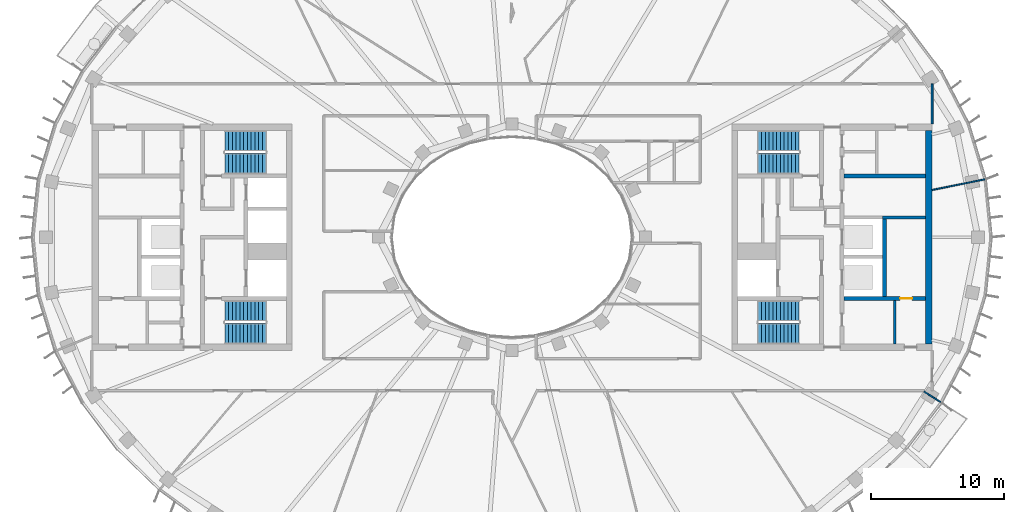
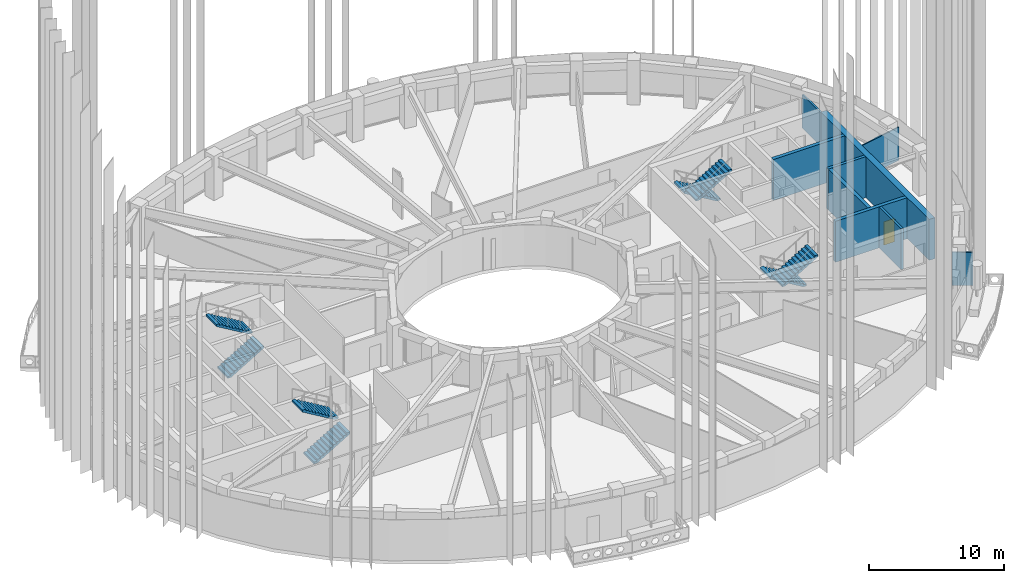
# One storey, part 7 of 17: 9 walls, 8 stair flights, 1 door, 1 opening, 4 elements without a shape of their own.
"""IFC4 building model written with IfcOpenShell, lengths in metres."""

from ifc_helpers import new_model, si_unit, direction, frame, frame_2d, origin, place, context, subcontext, project, spatial, polyline, rectangle, outline, extrude, material, layer, layer_set, type_object, element, fill, aggregate, save


model = new_model("IFC4")

# Units and contexts
model_context = context("Model", 3, precision=1e-05, world=origin(), true_north=direction((0.0, 1.0)))
body_context = subcontext(model_context, "Body", "Model", "MODEL_VIEW")
ifc_project = project(units=[si_unit("LENGTHUNIT", "METRE"), si_unit("AREAUNIT", "SQUARE_METRE"), si_unit("VOLUMEUNIT", "CUBIC_METRE"), si_unit("PLANEANGLEUNIT", "RADIAN"), si_unit("MASSUNIT", "GRAM", prefix="KILO")], contexts=[model_context])

# Site, building, storey
site_placement = place(None, origin())
site = spatial("IfcSite", under=ifc_project, at=site_placement, CompositionType="ELEMENT")
building_placement = place(site_placement, origin())
building = spatial("IfcBuilding", under=site, at=building_placement, Name="Noorbagh Ring Tower", CompositionType="ELEMENT")
storey_placement = place(building_placement, frame((0.0, 0.0, 291.0)))
storey = spatial("IfcBuildingStorey", under=building, at=storey_placement, Name="L62", CompositionType="ELEMENT", Elevation=291.0)

# Walls
ifc_material_1 = material(Name="Gypsum board on steel studs", Category="steel")
ifc_layer_1 = layer(ifc_material_1, 0.199951171875)
ifc_layer_set_1 = layer_set([ifc_layer_1], Name="Gypsum board on steel studs")
wall_type_1 = type_object("IfcWallType", Name="CORE-PARTITION-200", PredefinedType="PARTITIONING", material=ifc_layer_set_1)
wall_1_placement = place(storey_placement, frame((28.699951171875, -8.0, 0.0), z_axis=(0.0, 0.0, 1.0), x_axis=(0.0, 1.0, 0.0)))
element("IfcWall", 1, at=wall_1_placement, inside=storey, type_object=wall_type_1, Name="Core partition E", PredefinedType="PARTITIONING", context=body_context, shape_type="SweptSolid", body=[
    extrude(rectangle(XDim=3.25, YDim=0.199951171875, at=frame_2d((1.625, 0.0))), origin(), (0.0, 0.0, 1.0), 3.699951171875),
])
ifc_material_2 = material(Name="Concrete C50/60", Category="concrete")
ifc_layer_2 = layer(ifc_material_2, 0.25)
ifc_layer_set_2 = layer_set([ifc_layer_2], Name="Concrete C50/60")
wall_type_2 = type_object("IfcWallType", Name="CORE-WALL-250-C50-60-EI120", PredefinedType="SHEAR", material=ifc_layer_set_2)
wall_2_placement = place(storey_placement, frame((27.800048828125, 1.47509765625, 0.0), z_axis=(0.0, 0.0, 1.0), x_axis=(1.0, 0.0, 0.0)))
element("IfcWall", 2, at=wall_2_placement, inside=storey, type_object=wall_type_2, Name="Core wall E", PredefinedType="SHEAR", context=body_context, shape_type="SweptSolid", body=[
    extrude(rectangle(XDim=3.199951171875, YDim=0.25, at=frame_2d((1.60009765625, 0.0))), origin(), (0.0, 0.0, 1.0), 3.699951171875),
])
ifc_material_3 = material(Name="Concrete C50/60", Category="concrete")
ifc_layer_3 = layer(ifc_material_3, 0.300048828125)
ifc_layer_set_3 = layer_set([ifc_layer_3], Name="Concrete C50/60")
wall_type_3 = type_object("IfcWallType", Name="CORE-WALL-300-C50-60-EI120", PredefinedType="SHEAR", material=ifc_layer_set_3)
wall_3_placement = place(storey_placement, frame((27.949951171875, -4.449951171875, 0.0), z_axis=(0.0, 0.0, 1.0), x_axis=(0.0, 1.0, 0.0)))
element("IfcWall", 3, at=wall_3_placement, inside=storey, type_object=wall_type_3, Name="Core wall E", PredefinedType="SHEAR", context=body_context, shape_type="SweptSolid", body=[
    extrude(rectangle(XDim=5.800048828125, YDim=0.300048828125, at=frame_2d((2.89990234375, 0.0))), origin(), (0.0, 0.0, 1.0), 3.699951171875),
])
ifc_material_4 = material(Name="Concrete C50/60", Category="concrete")
ifc_layer_4 = layer(ifc_material_4, 0.300048828125)
ifc_layer_set_4 = layer_set([ifc_layer_4], Name="Concrete C50/60")
wall_type_4 = type_object("IfcWallType", Name="CORE-WALL-300-C50-60-EI240", PredefinedType="SHEAR", material=ifc_layer_set_4)
wall_4_placement = place(storey_placement, frame((24.89990234375, 4.60009765625, 0.0), z_axis=(0.0, 0.0, 1.0), x_axis=(1.0, 0.0, 0.0)))
element("IfcWall", 4, at=wall_4_placement, inside=storey, type_object=wall_type_4, Name="Core wall E", PredefinedType="SHEAR", context=body_context, shape_type="SweptSolid", body=[
    extrude(rectangle(XDim=6.10009765625, YDim=0.300048828125, at=frame_2d((3.050048828125, 0.0))), origin(), (0.0, 0.0, 1.0), 3.699951171875),
])

# Wall, opening, door
wall_5_placement = place(storey_placement, frame((24.89990234375, -4.60009765625, 0.0), z_axis=(0.0, 0.0, 1.0), x_axis=(1.0, 0.0, 0.0)))
wall_5 = element("IfcWall", 5, at=wall_5_placement, inside=storey, type_object=wall_type_4, Name="Core wall E", PredefinedType="SHEAR", context=body_context, shape_type="SweptSolid", body=[
    extrude(rectangle(XDim=6.10009765625, YDim=0.300048828125, at=frame_2d((3.050048828125, 0.0))), origin(), (0.0, 0.0, 1.0), 3.699951171875),
])
opening_placement = place(wall_5_placement, frame((4.199951171875, 0.0, 0.0)))
opening = element("IfcOpeningElement", 6, at=opening_placement, cuts=wall_5, Name="Opening L62-CE19", PredefinedType="OPENING", context=body_context, shape_type="SweptSolid", body=[
    extrude(rectangle(XDim=0.89990234375, YDim=2.10009765625, at=frame_2d((0.449951171875, 1.050048828125))), frame((0.0, 0.16015625, 0.0), z_axis=(0.0, -1.0, 0.0), x_axis=(1.0, 0.0, 0.0)), (0.0, 0.0, 1.0), 0.320068359375),
])
ifc_material_5 = material(Name="Steel door leaf", Category="steel")
door_type = type_object("IfcDoorType", Name="CORE-DOOR-DROOM", OperationType="SINGLE_SWING_LEFT", PredefinedType="DOOR", material=ifc_material_5)
door_placement = place(opening_placement, origin())
door = element("IfcDoor", 7, at=door_placement, inside=storey, type_object=door_type, Name="Core room door L62-CE19", OperationType="SINGLE_SWING_LEFT", OverallHeight=2.10009765625, OverallWidth=0.89990234375, PredefinedType="DOOR", context=body_context, shape_type="SweptSolid", body=[
    extrude(rectangle(XDim=0.89990234375, YDim=2.10009765625, at=frame_2d((0.449951171875, 1.050048828125))), frame((0.0, 0.02490234375, 0.0), z_axis=(0.0, -1.0, 0.0), x_axis=(1.0, 0.0, 0.0)), (0.0, 0.0, 1.0), 0.050048828125),
])
fill(opening, door)

# Walls
ifc_material_6 = material(Name="Concrete C50/60", Category="concrete")
ifc_layer_5 = layer(ifc_material_6, 0.5)
ifc_layer_set_5 = layer_set([ifc_layer_5], Name="Concrete C50/60")
wall_type_5 = type_object("IfcWallType", Name="CORE-WALL-500-C50-60-EI240", PredefinedType="SHEAR", material=ifc_layer_set_5)
wall_6_placement = place(storey_placement, frame((31.25, -8.0, 0.0), z_axis=(0.0, 0.0, 1.0), x_axis=(0.0, 1.0, 0.0)))
element("IfcWall", 8, at=wall_6_placement, inside=storey, type_object=wall_type_5, Name="Core wall E", PredefinedType="SHEAR", context=body_context, shape_type="SweptSolid", body=[
    extrude(rectangle(XDim=16.0, YDim=0.5, at=frame_2d((8.0, 0.0))), origin(), (0.0, 0.0, 1.0), 3.699951171875),
])
ifc_material_7 = material(Name="Gypsum board on steel studs", Category="steel")
ifc_layer_6 = layer(ifc_material_7, 0.14990234375)
ifc_layer_set_6 = layer_set([ifc_layer_6], Name="Gypsum board on steel studs")
wall_type_6 = type_object("IfcWallType", Name="CORRIDOR PARTITION 150 EI 30", PredefinedType="PARTITIONING", material=ifc_layer_set_6)
wall_7_placement = place(storey_placement, frame((31.5, 8.5, 0.0), z_axis=(0.0, 0.0, 1.0), x_axis=(0.0, 1.0, 0.0)))
element("IfcWall", 9, at=wall_7_placement, inside=storey, type_object=wall_type_6, Name="L62/wall/P51", PredefinedType="PARTITIONING", context=body_context, shape_type="SweptSolid", body=[
    extrude(rectangle(XDim=3.0, YDim=0.14990234375, at=frame_2d((1.5, 0.0))), origin(), (0.0, 0.0, 1.0), 3.0),
])
ifc_material_8 = material(Name="Gypsum board on steel studs", Category="steel")
ifc_layer_7 = layer(ifc_material_8, 0.10009765625)
ifc_layer_set_7 = layer_set([ifc_layer_7], Name="Gypsum board on steel studs")
wall_type_7 = type_object("IfcWallType", Name="PARTITION 100 GYPSUM", PredefinedType="PARTITIONING", material=ifc_layer_set_7)
wall_8_placement = place(storey_placement, frame((30.89697265625, -11.574951171875, 0.0), z_axis=(0.0, 0.0, 1.0), x_axis=(0.844757626245, -0.535149094086, 0.0)))
element("IfcWall", 10, at=wall_8_placement, inside=storey, type_object=wall_type_7, Name="L62/wall/P48", PredefinedType="PARTITIONING", context=body_context, shape_type="SweptSolid", body=[
    extrude(rectangle(XDim=1.556640625, YDim=0.10009765625, at=frame_2d((0.7783203125, 0.0))), origin(), (0.0, 0.0, 1.0), 3.0),
])
wall_9_placement = place(storey_placement, frame((31.5, 3.5419921875, 0.0), z_axis=(0.0, 0.0, 1.0), x_axis=(0.980357474535, 0.197228857227, 0.0)))
element("IfcWall", 11, at=wall_9_placement, inside=storey, type_object=wall_type_7, Name="L62/wall/P50", PredefinedType="PARTITIONING", context=body_context, shape_type="SweptSolid", body=[
    extrude(rectangle(XDim=4.09228515625, YDim=0.10009765625, at=frame_2d((2.046142578125, 0.0))), origin(), (0.0, 0.0, 1.0), 3.0),
])

# Stair, stair flights
ifc_material_9 = material(Name="Concrete C40/50", Category="concrete")
stair_type = type_object("IfcStairType", Name="CORE-STAIR", PredefinedType="HALF_TURN_STAIR", material=ifc_material_9)
stair_1_placement = place(storey_placement, origin())
stair_1 = element("IfcStair", 12, at=stair_1_placement, inside=storey, type_object=stair_type, Name="L62 Exit stair ST1", PredefinedType="HALF_TURN_STAIR")
ifc_material_10 = material(Name="Concrete C40/50", Category="concrete")
stair_flight_type = type_object("IfcStairFlightType", Name="CORE-STAIR-FLIGHT", PredefinedType="STRAIGHT", material=ifc_material_10)
stair_flight_1_placement = place(storey_placement, frame((-21.530029296875, 5.52490234375, 0.0), z_axis=(0.0, 0.0, 1.0), x_axis=(1.0, 0.0, 0.0)))
stair_flight_1 = element("IfcStairFlight", 13, at=stair_flight_1_placement, type_object=stair_flight_type, Name="ST1 flight 1", NumberOfRisers=12, NumberOfTreads=11, PredefinedType="STRAIGHT", RiserHeight=0.166666667, TreadLength=0.28, context=body_context, shape_type="SweptSolid", body=[
    extrude(outline(polyline([(0.0, 0.0), (0.0, 0.166748046875), (0.280029296875, 0.166748046875), (0.280029296875, 0.333251953125), (0.56005859375, 0.333251953125), (0.56005859375, 0.5), (0.840087890625, 0.5), (0.840087890625, 0.666748046875), (1.1201171875, 0.666748046875), (1.1201171875, 0.833251953125), (1.39990234375, 0.833251953125), (1.39990234375, 1.0), (1.679931640625, 1.0), (1.679931640625, 1.166748046875), (1.9599609375, 1.166748046875), (1.9599609375, 1.333251953125), (2.239990234375, 1.333251953125), (2.239990234375, 1.5), (2.52001953125, 1.5), (2.52001953125, 1.666748046875), (2.800048828125, 1.666748046875), (2.800048828125, 1.833251953125), (3.080078125, 1.833251953125), (3.080078125, 2.0), (3.080078125, 1.658935546875), (0.29296875, 0.0), (0.0, 0.0)])), frame((0.0, 0.77490234375, 0.0), z_axis=(0.0, -1.0, 0.0), x_axis=(1.0, 0.0, 0.0)), (0.0, 0.0, 1.0), 1.550048828125),
])
stair_flight_2_placement = place(storey_placement, frame((-18.449951171875, 7.22509765625, 2.0), z_axis=(0.0, 0.0, 1.0), x_axis=(-1.0, 0.0, 0.0)))
stair_flight_2 = element("IfcStairFlight", 14, at=stair_flight_2_placement, type_object=stair_flight_type, Name="ST1 flight 2", NumberOfRisers=12, NumberOfTreads=11, PredefinedType="STRAIGHT", RiserHeight=0.166666667, TreadLength=0.28, context=body_context, shape_type="SweptSolid", body=[
    extrude(outline(polyline([(0.0, 0.0), (0.0, 0.166748046875), (0.280029296875, 0.166748046875), (0.280029296875, 0.333251953125), (0.56005859375, 0.333251953125), (0.56005859375, 0.5), (0.840087890625, 0.5), (0.840087890625, 0.666748046875), (1.1201171875, 0.666748046875), (1.1201171875, 0.833251953125), (1.39990234375, 0.833251953125), (1.39990234375, 1.0), (1.679931640625, 1.0), (1.679931640625, 1.166748046875), (1.9599609375, 1.166748046875), (1.9599609375, 1.333251953125), (2.239990234375, 1.333251953125), (2.239990234375, 1.5), (2.52001953125, 1.5), (2.52001953125, 1.666748046875), (2.800048828125, 1.666748046875), (2.800048828125, 1.833251953125), (3.080078125, 1.833251953125), (3.080078125, 2.0), (3.080078125, 1.658935546875), (0.29296875, 0.0), (0.0, 0.0)])), frame((0.0, 0.77490234375, 0.0), z_axis=(0.0, -1.0, 0.0), x_axis=(1.0, 0.0, 0.0)), (0.0, 0.0, 1.0), 1.550048828125),
])
aggregate(stair_1, [stair_flight_1, stair_flight_2])

stair_2_placement = place(storey_placement, origin())
stair_2 = element("IfcStair", 15, at=stair_2_placement, inside=storey, type_object=stair_type, Name="L62 Exit stair ST2", PredefinedType="HALF_TURN_STAIR")
stair_flight_3_placement = place(storey_placement, frame((-21.530029296875, -7.22509765625, 0.0), z_axis=(0.0, 0.0, 1.0), x_axis=(1.0, 0.0, 0.0)))
stair_flight_3 = element("IfcStairFlight", 16, at=stair_flight_3_placement, type_object=stair_flight_type, Name="ST2 flight 1", NumberOfRisers=12, NumberOfTreads=11, PredefinedType="STRAIGHT", RiserHeight=0.166666667, TreadLength=0.28, context=body_context, shape_type="SweptSolid", body=[
    extrude(outline(polyline([(0.0, 0.0), (0.0, 0.166748046875), (0.280029296875, 0.166748046875), (0.280029296875, 0.333251953125), (0.56005859375, 0.333251953125), (0.56005859375, 0.5), (0.840087890625, 0.5), (0.840087890625, 0.666748046875), (1.1201171875, 0.666748046875), (1.1201171875, 0.833251953125), (1.39990234375, 0.833251953125), (1.39990234375, 1.0), (1.679931640625, 1.0), (1.679931640625, 1.166748046875), (1.9599609375, 1.166748046875), (1.9599609375, 1.333251953125), (2.239990234375, 1.333251953125), (2.239990234375, 1.5), (2.52001953125, 1.5), (2.52001953125, 1.666748046875), (2.800048828125, 1.666748046875), (2.800048828125, 1.833251953125), (3.080078125, 1.833251953125), (3.080078125, 2.0), (3.080078125, 1.658935546875), (0.29296875, 0.0), (0.0, 0.0)])), frame((0.0, 0.77490234375, 0.0), z_axis=(0.0, -1.0, 0.0), x_axis=(1.0, 0.0, 0.0)), (0.0, 0.0, 1.0), 1.550048828125),
])
stair_flight_4_placement = place(storey_placement, frame((-18.449951171875, -5.52490234375, 2.0), z_axis=(0.0, 0.0, 1.0), x_axis=(-1.0, 0.0, 0.0)))
stair_flight_4 = element("IfcStairFlight", 17, at=stair_flight_4_placement, type_object=stair_flight_type, Name="ST2 flight 2", NumberOfRisers=12, NumberOfTreads=11, PredefinedType="STRAIGHT", RiserHeight=0.166666667, TreadLength=0.28, context=body_context, shape_type="SweptSolid", body=[
    extrude(outline(polyline([(0.0, 0.0), (0.0, 0.166748046875), (0.280029296875, 0.166748046875), (0.280029296875, 0.333251953125), (0.56005859375, 0.333251953125), (0.56005859375, 0.5), (0.840087890625, 0.5), (0.840087890625, 0.666748046875), (1.1201171875, 0.666748046875), (1.1201171875, 0.833251953125), (1.39990234375, 0.833251953125), (1.39990234375, 1.0), (1.679931640625, 1.0), (1.679931640625, 1.166748046875), (1.9599609375, 1.166748046875), (1.9599609375, 1.333251953125), (2.239990234375, 1.333251953125), (2.239990234375, 1.5), (2.52001953125, 1.5), (2.52001953125, 1.666748046875), (2.800048828125, 1.666748046875), (2.800048828125, 1.833251953125), (3.080078125, 1.833251953125), (3.080078125, 2.0), (3.080078125, 1.658935546875), (0.29296875, 0.0), (0.0, 0.0)])), frame((0.0, 0.77490234375, 0.0), z_axis=(0.0, -1.0, 0.0), x_axis=(1.0, 0.0, 0.0)), (0.0, 0.0, 1.0), 1.550048828125),
])
aggregate(stair_2, [stair_flight_3, stair_flight_4])

stair_3_placement = place(storey_placement, origin())
stair_3 = element("IfcStair", 18, at=stair_3_placement, inside=storey, type_object=stair_type, Name="L62 Exit stair ST3", PredefinedType="HALF_TURN_STAIR")
stair_flight_5_placement = place(storey_placement, frame((21.530029296875, 7.22509765625, 0.0), z_axis=(0.0, 0.0, 1.0), x_axis=(-1.0, 0.0, 0.0)))
stair_flight_5 = element("IfcStairFlight", 19, at=stair_flight_5_placement, type_object=stair_flight_type, Name="ST3 flight 1", NumberOfRisers=12, NumberOfTreads=11, PredefinedType="STRAIGHT", RiserHeight=0.166666667, TreadLength=0.28, context=body_context, shape_type="SweptSolid", body=[
    extrude(outline(polyline([(0.0, 0.0), (0.0, 0.166748046875), (0.280029296875, 0.166748046875), (0.280029296875, 0.333251953125), (0.56005859375, 0.333251953125), (0.56005859375, 0.5), (0.840087890625, 0.5), (0.840087890625, 0.666748046875), (1.1201171875, 0.666748046875), (1.1201171875, 0.833251953125), (1.39990234375, 0.833251953125), (1.39990234375, 1.0), (1.679931640625, 1.0), (1.679931640625, 1.166748046875), (1.9599609375, 1.166748046875), (1.9599609375, 1.333251953125), (2.239990234375, 1.333251953125), (2.239990234375, 1.5), (2.52001953125, 1.5), (2.52001953125, 1.666748046875), (2.800048828125, 1.666748046875), (2.800048828125, 1.833251953125), (3.080078125, 1.833251953125), (3.080078125, 2.0), (3.080078125, 1.658935546875), (0.29296875, 0.0), (0.0, 0.0)])), frame((0.0, 0.77490234375, 0.0), z_axis=(0.0, -1.0, 0.0), x_axis=(1.0, 0.0, 0.0)), (0.0, 0.0, 1.0), 1.550048828125),
])
stair_flight_6_placement = place(storey_placement, frame((18.449951171875, 5.52490234375, 2.0), z_axis=(0.0, 0.0, 1.0), x_axis=(1.0, 0.0, 0.0)))
stair_flight_6 = element("IfcStairFlight", 20, at=stair_flight_6_placement, type_object=stair_flight_type, Name="ST3 flight 2", NumberOfRisers=12, NumberOfTreads=11, PredefinedType="STRAIGHT", RiserHeight=0.166666667, TreadLength=0.28, context=body_context, shape_type="SweptSolid", body=[
    extrude(outline(polyline([(0.0, 0.0), (0.0, 0.166748046875), (0.280029296875, 0.166748046875), (0.280029296875, 0.333251953125), (0.56005859375, 0.333251953125), (0.56005859375, 0.5), (0.840087890625, 0.5), (0.840087890625, 0.666748046875), (1.1201171875, 0.666748046875), (1.1201171875, 0.833251953125), (1.39990234375, 0.833251953125), (1.39990234375, 1.0), (1.679931640625, 1.0), (1.679931640625, 1.166748046875), (1.9599609375, 1.166748046875), (1.9599609375, 1.333251953125), (2.239990234375, 1.333251953125), (2.239990234375, 1.5), (2.52001953125, 1.5), (2.52001953125, 1.666748046875), (2.800048828125, 1.666748046875), (2.800048828125, 1.833251953125), (3.080078125, 1.833251953125), (3.080078125, 2.0), (3.080078125, 1.658935546875), (0.29296875, 0.0), (0.0, 0.0)])), frame((0.0, 0.77490234375, 0.0), z_axis=(0.0, -1.0, 0.0), x_axis=(1.0, 0.0, 0.0)), (0.0, 0.0, 1.0), 1.550048828125),
])
aggregate(stair_3, [stair_flight_5, stair_flight_6])

stair_4_placement = place(storey_placement, origin())
stair_4 = element("IfcStair", 21, at=stair_4_placement, inside=storey, type_object=stair_type, Name="L62 Exit stair ST4", PredefinedType="HALF_TURN_STAIR")
stair_flight_7_placement = place(storey_placement, frame((21.530029296875, -5.52490234375, 0.0), z_axis=(0.0, 0.0, 1.0), x_axis=(-1.0, 0.0, 0.0)))
stair_flight_7 = element("IfcStairFlight", 22, at=stair_flight_7_placement, type_object=stair_flight_type, Name="ST4 flight 1", NumberOfRisers=12, NumberOfTreads=11, PredefinedType="STRAIGHT", RiserHeight=0.166666667, TreadLength=0.28, context=body_context, shape_type="SweptSolid", body=[
    extrude(outline(polyline([(0.0, 0.0), (0.0, 0.166748046875), (0.280029296875, 0.166748046875), (0.280029296875, 0.333251953125), (0.56005859375, 0.333251953125), (0.56005859375, 0.5), (0.840087890625, 0.5), (0.840087890625, 0.666748046875), (1.1201171875, 0.666748046875), (1.1201171875, 0.833251953125), (1.39990234375, 0.833251953125), (1.39990234375, 1.0), (1.679931640625, 1.0), (1.679931640625, 1.166748046875), (1.9599609375, 1.166748046875), (1.9599609375, 1.333251953125), (2.239990234375, 1.333251953125), (2.239990234375, 1.5), (2.52001953125, 1.5), (2.52001953125, 1.666748046875), (2.800048828125, 1.666748046875), (2.800048828125, 1.833251953125), (3.080078125, 1.833251953125), (3.080078125, 2.0), (3.080078125, 1.658935546875), (0.29296875, 0.0), (0.0, 0.0)])), frame((0.0, 0.77490234375, 0.0), z_axis=(0.0, -1.0, 0.0), x_axis=(1.0, 0.0, 0.0)), (0.0, 0.0, 1.0), 1.550048828125),
])
stair_flight_8_placement = place(storey_placement, frame((18.449951171875, -7.22509765625, 2.0), z_axis=(0.0, 0.0, 1.0), x_axis=(1.0, 0.0, 0.0)))
stair_flight_8 = element("IfcStairFlight", 23, at=stair_flight_8_placement, type_object=stair_flight_type, Name="ST4 flight 2", NumberOfRisers=12, NumberOfTreads=11, PredefinedType="STRAIGHT", RiserHeight=0.166666667, TreadLength=0.28, context=body_context, shape_type="SweptSolid", body=[
    extrude(outline(polyline([(0.0, 0.0), (0.0, 0.166748046875), (0.280029296875, 0.166748046875), (0.280029296875, 0.333251953125), (0.56005859375, 0.333251953125), (0.56005859375, 0.5), (0.840087890625, 0.5), (0.840087890625, 0.666748046875), (1.1201171875, 0.666748046875), (1.1201171875, 0.833251953125), (1.39990234375, 0.833251953125), (1.39990234375, 1.0), (1.679931640625, 1.0), (1.679931640625, 1.166748046875), (1.9599609375, 1.166748046875), (1.9599609375, 1.333251953125), (2.239990234375, 1.333251953125), (2.239990234375, 1.5), (2.52001953125, 1.5), (2.52001953125, 1.666748046875), (2.800048828125, 1.666748046875), (2.800048828125, 1.833251953125), (3.080078125, 1.833251953125), (3.080078125, 2.0), (3.080078125, 1.658935546875), (0.29296875, 0.0), (0.0, 0.0)])), frame((0.0, 0.77490234375, 0.0), z_axis=(0.0, -1.0, 0.0), x_axis=(1.0, 0.0, 0.0)), (0.0, 0.0, 1.0), 1.550048828125),
])
aggregate(stair_4, [stair_flight_7, stair_flight_8])

save(model, "model.ifc")
